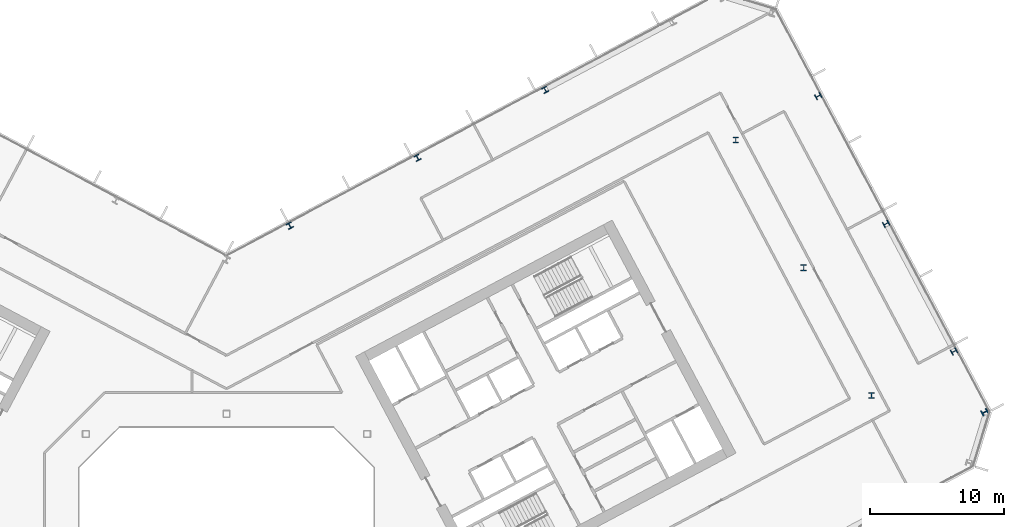
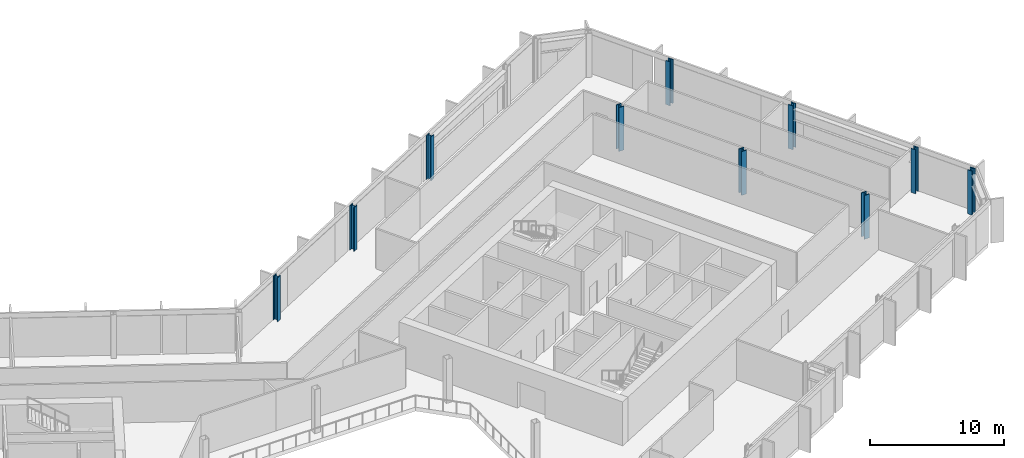
# One storey, part 7 of 28: 10 columns.
"""IFC4 building model written with IfcOpenShell, lengths in metres."""

from ifc_helpers import new_model, si_unit, direction, frame, origin, origin_2d, place, context, subcontext, project, spatial, i_section, extrude, material, material_profile, profile_set, type_object, element, save


model = new_model("IFC4")

# Units and contexts
model_context = context("Model", 3, precision=1e-05, world=origin(), true_north=direction((0.0, 1.0)))
body_context = subcontext(model_context, "Body", "Model", "MODEL_VIEW")
ifc_project = project(units=[si_unit("LENGTHUNIT", "METRE"), si_unit("AREAUNIT", "SQUARE_METRE"), si_unit("VOLUMEUNIT", "CUBIC_METRE"), si_unit("PLANEANGLEUNIT", "RADIAN"), si_unit("MASSUNIT", "GRAM", prefix="KILO")], contexts=[model_context])

# Site, building, storey
site_placement = place(None, origin())
site = spatial("IfcSite", under=ifc_project, at=site_placement, CompositionType="ELEMENT")
building_placement = place(site_placement, origin())
building = spatial("IfcBuilding", under=site, at=building_placement, Name="Cormorant Relay Tower", CompositionType="ELEMENT")
storey_placement = place(building_placement, frame((0.0, 0.0, 158.199951171875)))
storey = spatial("IfcBuildingStorey", under=building, at=storey_placement, Name="L33", CompositionType="ELEMENT", Elevation=158.199951171875)

# Columns
ifc_material_1 = material(Name="Steel ASTM A992 (Fy 345 MPa)", Category="steel")
ifc_material_profile_1 = material_profile(ifc_material_1, i_section(OverallWidth=0.41162109375, OverallDepth=0.434326171875, WebThickness=0.035888671875, FlangeThickness=0.057373046875, FilletRadius=0.01513671875, at=origin_2d()), Name="W360x463")
ifc_profile_set_1 = profile_set([ifc_material_profile_1], Name="Steel ASTM A992 (Fy 345 MPa)")
column_type_1 = type_object("IfcColumnType", Name="Column W360x463", PredefinedType="COLUMN", material=ifc_profile_set_1)
for number, where, z_axis, x_axis, name in (
    (1, (54.321044921875, 16.65087890625, 0.0), (0.0, 0.0, 1.0), (-0.469471562786, 0.882947592859, 0.0), "Column L33-029"),
    (2, (4.72509765625, 26.047119140625, 0.0), (0.0, 0.0, 1.0), (-0.882947592859, -0.469471562786, 0.0), "Column L33-034"),
    (3, (49.2509765625, 26.18701171875, 0.0), (0.0, 0.0, 1.0), (-0.469471562786, 0.882947592859, 0.0), "Column L33-035"),
    (4, (14.260986328125, 31.116943359375, 0.0), (0.0, 0.0, 1.0), (-0.882947592859, -0.469471562786, 0.0), "Column L33-038"),
    (5, (44.180908203125, 35.722900390625, 0.0), (0.0, 0.0, 1.0), (-0.469471562786, 0.882947592859, 0.0), "Column L33-042"),
    (6, (23.7958984375, 36.18798828125, 0.0), (0.0, 0.0, 1.0), (-0.882947592859, -0.469471562786, 0.0), "Column L33-043"),
):
    element("IfcColumn", number, at=place(storey_placement, frame(where, z_axis=z_axis, x_axis=x_axis)), inside=storey, type_object=column_type_1, Name=name, PredefinedType="COLUMN", context=body_context, shape_type="SweptSolid", body=[
        extrude(i_section(OverallWidth=0.41162109375, OverallDepth=0.434326171875, WebThickness=0.035888671875, FlangeThickness=0.057373046875, FilletRadius=0.01513671875, at=origin_2d()), origin(), (0.0, 0.0, 1.0), 4.0),
    ])
ifc_material_2 = material(Name="Steel ASTM A992 (Fy 345 MPa)", Category="steel")
ifc_material_profile_2 = material_profile(ifc_material_2, i_section(OverallWidth=0.42431640625, OverallDepth=0.47509765625, WebThickness=0.0478515625, FlangeThickness=0.0771484375, FilletRadius=0.014892578125, at=origin_2d()), Name="W360x634")
ifc_profile_set_2 = profile_set([ifc_material_profile_2], Name="Steel ASTM A992 (Fy 345 MPa)")
column_type_2 = type_object("IfcColumnType", Name="Column W360x634", PredefinedType="COLUMN", material=ifc_profile_set_2)
for number, where, z_axis, x_axis, name in (
    (7, (56.60791015625, 12.1298828125, 0.0), (0.0, 0.0, 1.0), (-0.469471562786, 0.882947592859, 0.0), "Column L33-026"),
    (8, (48.157958984375, 13.3740234375, 0.0), (0.0, 0.0, 1.0), (1.0, 0.0, 0.0), "Column L33-027"),
    (9, (43.087890625, 22.909912109375, 0.0), (0.0, 0.0, 1.0), (1.0, 0.0, 0.0), "Column L33-031"),
    (10, (38.01806640625, 32.446044921875, 0.0), (0.0, 0.0, 1.0), (1.0, 0.0, 0.0), "Column L33-039"),
):
    element("IfcColumn", number, at=place(storey_placement, frame(where, z_axis=z_axis, x_axis=x_axis)), inside=storey, type_object=column_type_2, Name=name, PredefinedType="COLUMN", context=body_context, shape_type="SweptSolid", body=[
        extrude(i_section(OverallWidth=0.42431640625, OverallDepth=0.47509765625, WebThickness=0.0478515625, FlangeThickness=0.0771484375, FilletRadius=0.014892578125, at=origin_2d()), origin(), (0.0, 0.0, 1.0), 4.0),
    ])

save(model, "model.ifc")
